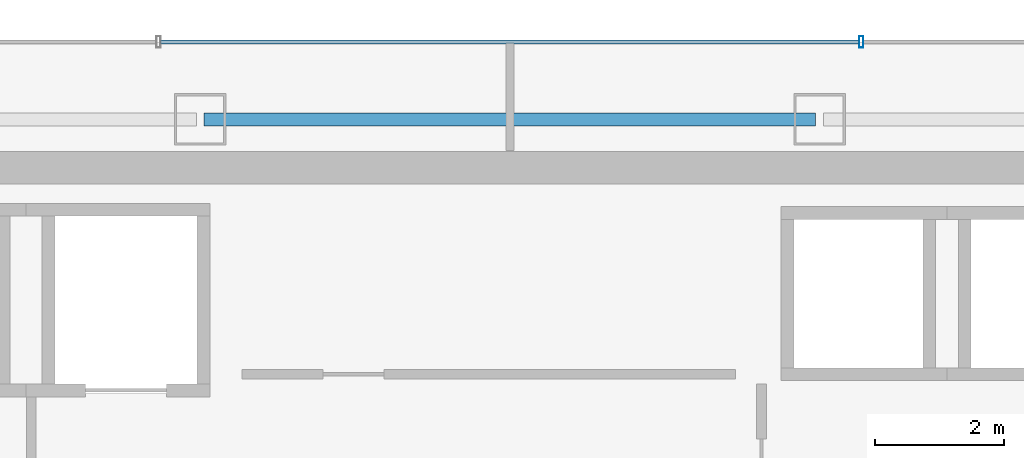
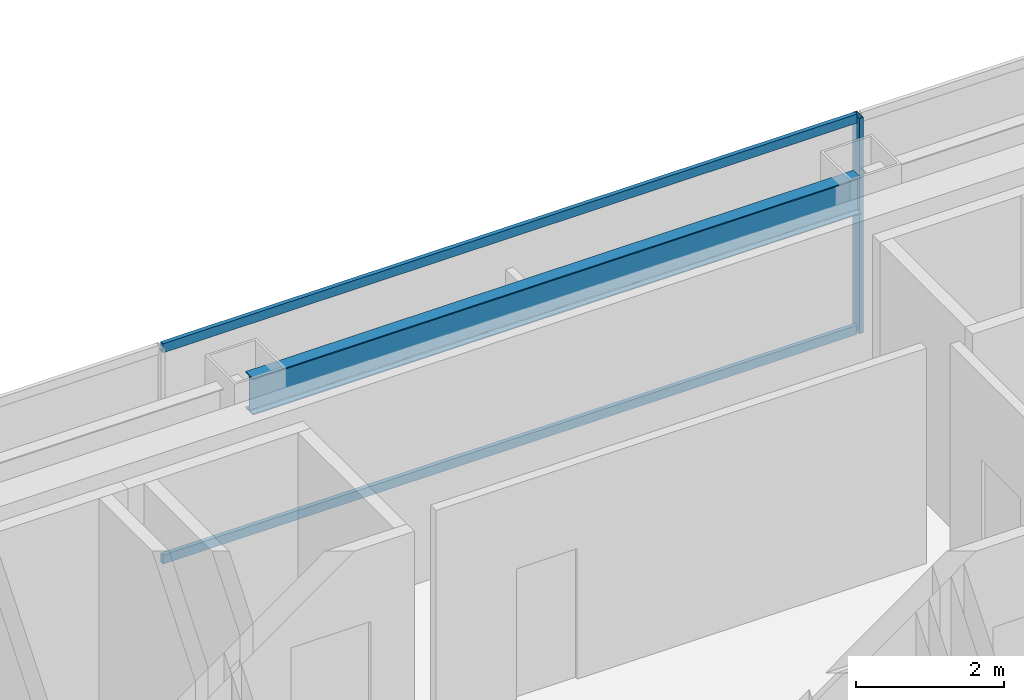
# One storey, part 25 of 35: 3 members, 1 beam, 1 element without a shape of its own.
"""IFC4 building model written with IfcOpenShell, lengths in metres."""

from ifc_helpers import new_model, si_unit, direction, frame, origin, origin_2d, place, context, subcontext, project, spatial, hollow_rectangle, i_section, extrude, material, material_profile, profile_set, type_object, element, aggregate, save


model = new_model("IFC4")

# Units and contexts
model_context = context("Model", 3, precision=1e-05, world=origin(), true_north=direction((0.0, 1.0)))
body_context = subcontext(model_context, "Body", "Model", "MODEL_VIEW")
ifc_project = project(units=[si_unit("LENGTHUNIT", "METRE"), si_unit("AREAUNIT", "SQUARE_METRE"), si_unit("VOLUMEUNIT", "CUBIC_METRE"), si_unit("PLANEANGLEUNIT", "RADIAN"), si_unit("MASSUNIT", "GRAM", prefix="KILO")], contexts=[model_context])

# Site, building, storey
site_placement = place(None, origin())
site = spatial("IfcSite", under=ifc_project, at=site_placement, CompositionType="ELEMENT")
building_placement = place(site_placement, origin())
building = spatial("IfcBuilding", under=site, at=building_placement, Name="Saevonmaru Cultural Tower", CompositionType="ELEMENT")
storey_placement = place(building_placement, frame((0.0, 0.0, 190.39990234375)))
storey = spatial("IfcBuildingStorey", under=building, at=storey_placement, Name="L43", CompositionType="ELEMENT", Elevation=190.39990234375)

# Beam
ifc_material_1 = material(Name="Steel SM355", Category="steel")
ifc_material_profile_1 = material_profile(ifc_material_1, i_section(OverallWidth=0.199951171875, OverallDepth=0.60009765625, WebThickness=0.010986328125, FlangeThickness=0.01708984375, FilletRadius=0.02197265625, at=origin_2d()), Name="H-600x200x11x17")
ifc_profile_set_1 = profile_set([ifc_material_profile_1], Name="Steel SM355")
beam_type = type_object("IfcBeamType", Name="BM-SP-H600", PredefinedType="SPANDREL", material=ifc_profile_set_1)
beam_placement = place(storey_placement, frame((25.260009765625, 54.800048828125, 3.25), z_axis=(1.0, 0.0, 0.0), x_axis=(0.0, 1.0, 0.0)))
element("IfcBeam", 1, at=beam_placement, inside=storey, type_object=beam_type, Name="L43 North Spine Girder 3", PredefinedType="SPANDREL", context=body_context, shape_type="SweptSolid", body=[
    extrude(i_section(OverallWidth=0.199951171875, OverallDepth=0.60009765625, WebThickness=0.010986328125, FlangeThickness=0.01708984375, FilletRadius=0.02197265625, at=origin_2d()), origin(), (0.0, 0.0, 1.0), 9.47998046875),
])

# Curtain wall, members
ifc_material_2 = material(Name="Satin Bronze Anodised Aluminium", Category="aluminium")
curtain_wall_type = type_object("IfcCurtainWallType", Name="CW-TYP-B", PredefinedType="NOTDEFINED", material=ifc_material_2)
curtain_wall_placement = place(storey_placement, origin())
curtain_wall = element("IfcCurtainWall", 2, at=curtain_wall_placement, inside=storey, type_object=curtain_wall_type, Name="L43 North Spine Unitised Curtain Wall E10B", PredefinedType="NOTDEFINED")
ifc_material_profile_2 = material_profile(ifc_material_2, hollow_rectangle(XDim=0.06494140625, YDim=0.179931640625, WallThickness=0.00390625, at=origin_2d()), Name="ALU-MULL-180x65x4")
ifc_profile_set_2 = profile_set([ifc_material_profile_2], Name="Satin Bronze Anodised Aluminium")
member_type_1 = type_object("IfcMemberType", Name="ML-CW-180x65", PredefinedType="MULLION", material=ifc_profile_set_2)
member_1_placement = place(storey_placement, frame((35.44677734375, 56.0, 0.0), z_axis=(0.0, 0.0, 1.0), x_axis=(-1.0, 0.0, 0.0)))
member_1 = element("IfcMember", 3, at=member_1_placement, type_object=member_type_1, Name="CW-TW-L43-E10B mullion 2", PredefinedType="MULLION", context=body_context, shape_type="SweptSolid", body=[
    extrude(hollow_rectangle(XDim=0.06494140625, YDim=0.179931640625, WallThickness=0.00390625, at=origin_2d()), origin(), (0.0, 0.0, 1.0), 3.550048828125),
])
ifc_material_profile_3 = material_profile(ifc_material_2, hollow_rectangle(XDim=0.06494140625, YDim=0.14990234375, WallThickness=0.00390625, at=origin_2d()), Name="ALU-TRAN-150x65x4")
ifc_profile_set_3 = profile_set([ifc_material_profile_3], Name="Satin Bronze Anodised Aluminium")
member_type_2 = type_object("IfcMemberType", Name="TR-CW-150x65", PredefinedType="USERDEFINED", material=ifc_profile_set_3)
member_2_placement = place(storey_placement, frame((35.4140625, 56.0, 0.03271484375), z_axis=(-1.0, 0.0, 0.0), x_axis=(0.0, -1.0, 0.0)))
member_2 = element("IfcMember", 4, at=member_2_placement, type_object=member_type_2, Name="CW-TW-L43-E10B transom 2.1", ObjectType="TRANSOM", PredefinedType="USERDEFINED", context=body_context, shape_type="SweptSolid", body=[
    extrude(hollow_rectangle(XDim=0.06494140625, YDim=0.14990234375, WallThickness=0.00390625, at=origin_2d()), origin(), (0.0, 0.0, 1.0), 10.828125),
])
member_3_placement = place(storey_placement, frame((35.4140625, 56.0, 3.517578125), z_axis=(-1.0, 0.0, 0.0), x_axis=(0.0, -1.0, 0.0)))
member_3 = element("IfcMember", 5, at=member_3_placement, type_object=member_type_2, Name="CW-TW-L43-E10B transom 2.2", ObjectType="TRANSOM", PredefinedType="USERDEFINED", context=body_context, shape_type="SweptSolid", body=[
    extrude(hollow_rectangle(XDim=0.06494140625, YDim=0.14990234375, WallThickness=0.00390625, at=origin_2d()), origin(), (0.0, 0.0, 1.0), 10.828125),
])
aggregate(curtain_wall, [member_1, member_2, member_3])

save(model, "model.ifc")
